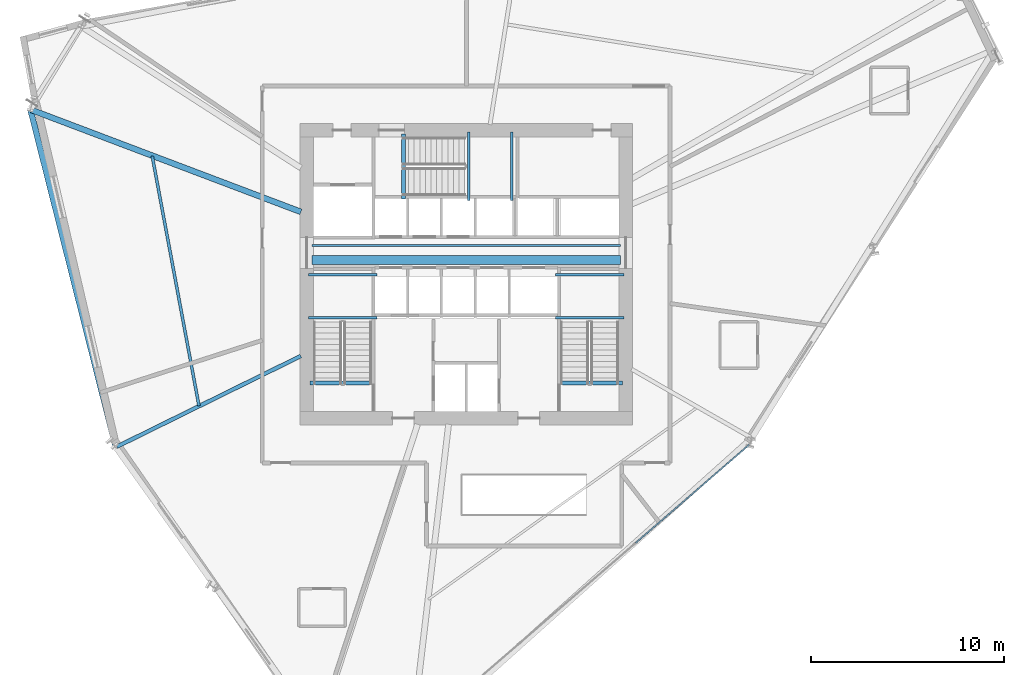
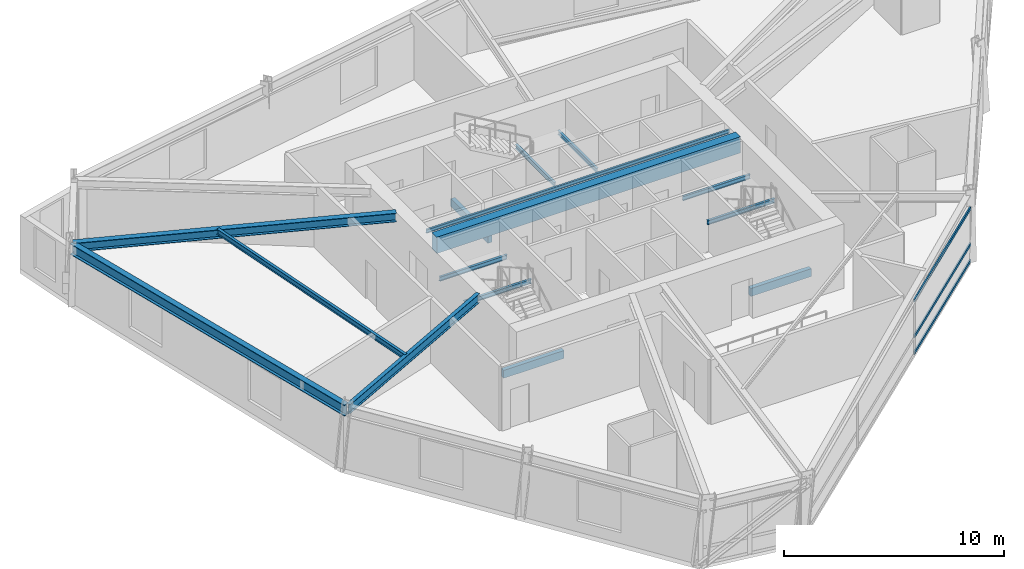
# One storey, part 6 of 16: 15 beams, 3 members, 1 element without a shape of its own.
"""IFC4 building model written with IfcOpenShell, lengths in metres."""

from ifc_helpers import new_model, si_unit, direction, frame, origin, origin_2d, place, context, subcontext, project, spatial, rectangle, hollow_rectangle, i_section, extrude, source, transform, mapped, material, material_profile, profile_set, type_object, element, aggregate, save


model = new_model("IFC4")

# Units and contexts
model_context = context("Model", 3, precision=1e-05, world=origin(), true_north=direction((0.0, 1.0)))
body_context = subcontext(model_context, "Body", "Model", "MODEL_VIEW")
ifc_project = project(units=[si_unit("LENGTHUNIT", "METRE"), si_unit("AREAUNIT", "SQUARE_METRE"), si_unit("VOLUMEUNIT", "CUBIC_METRE"), si_unit("PLANEANGLEUNIT", "RADIAN"), si_unit("MASSUNIT", "GRAM", prefix="KILO")], contexts=[model_context])

# Site, building, storey
site_placement = place(None, origin())
site = spatial("IfcSite", under=ifc_project, at=site_placement, CompositionType="ELEMENT")
building_placement = place(site_placement, origin())
building = spatial("IfcBuilding", under=site, at=building_placement, Name="Olszyna Solenne Hotel", CompositionType="ELEMENT")
storey_placement = place(building_placement, frame((0.0, 0.0, 138.10009765625)))
storey = spatial("IfcBuildingStorey", under=building, at=storey_placement, Name="L36", CompositionType="ELEMENT", Elevation=138.10009765625)

# Beams
ifc_material_1 = material(Name="Steel S355J2", Category="steel")
ifc_material_profile_1 = material_profile(ifc_material_1, i_section(OverallWidth=0.300048828125, OverallDepth=0.60009765625, WebThickness=0.015380859375, FlangeThickness=0.030029296875, at=origin_2d()), Name="HEB 600", Category="load-bearing")
ifc_profile_set_1 = profile_set([ifc_material_profile_1], Name="Steel S355J2")
beam_type_1 = type_object("IfcBeamType", Name="BM-S2", PredefinedType="BEAM", material=ifc_profile_set_1)
shared_shape_1 = source(origin(), body_context, "Body", "SweptSolid", [
    extrude(i_section(OverallWidth=0.300048828125, OverallDepth=0.60009765625, WebThickness=0.015380859375, FlangeThickness=0.030029296875, at=origin_2d()), origin(), (0.0, 0.0, 1.0), 17.90234375),
])
beam_1_placement = place(storey_placement, frame((15.4677734375, 35.0751953125, 3.27978515625), z_axis=(0.244967118321, -0.969531387291, 0.0), x_axis=(0.969531387291, 0.244967118321, 0.0)))
element("IfcBeam", 1, at=beam_1_placement, inside=storey, type_object=beam_type_1, Name="Perimeter spandrel beam BM-S2 B-L36-1074", PredefinedType="BEAM", context=body_context, shape_type="MappedRepresentation", body=[
    mapped(shared_shape_1, transform((0.0, 0.0, 0.0), x_axis=(1.0, 0.0, 0.0), y_axis=(0.0, 1.0, 0.0), z_axis=(0.0, 0.0, 1.0), scale=1.0)),
])
ifc_material_profile_2 = material_profile(ifc_material_1, i_section(OverallWidth=0.300048828125, OverallDepth=0.489990234375, WebThickness=0.011962890625, FlangeThickness=0.02294921875, at=origin_2d()), Name="HEA 500", Category="load-bearing")
ifc_profile_set_2 = profile_set([ifc_material_profile_2], Name="Steel S355J2")
beam_type_2 = type_object("IfcBeamType", Name="BM-G1", PredefinedType="BEAM", material=ifc_profile_set_2)
shared_shape_2 = source(origin(), body_context, "Body", "SweptSolid", [
    extrude(i_section(OverallWidth=0.300048828125, OverallDepth=0.489990234375, WebThickness=0.011962890625, FlangeThickness=0.02294921875, at=origin_2d()), origin(), (0.0, 0.0, 1.0), 14.90234375),
])
beam_2_placement = place(storey_placement, frame((15.50927734375, 35.1123046875, 3.3349609375), z_axis=(0.935252985543, -0.353980017843, 0.0), x_axis=(0.353980017843, 0.935252985543, 0.0)))
element("IfcBeam", 2, at=beam_2_placement, inside=storey, type_object=beam_type_2, Name="Radial floor girder BM-G1 B-L36-1085", PredefinedType="BEAM", context=body_context, shape_type="MappedRepresentation", body=[
    mapped(shared_shape_2, transform((0.0, 0.0, 0.0), x_axis=(1.0, 0.0, 0.0), y_axis=(0.0, 1.0, 0.0), z_axis=(0.0, 0.0, 1.0), scale=1.0)),
])
ifc_material_profile_3 = material_profile(ifc_material_1, i_section(OverallWidth=0.199951171875, OverallDepth=0.5, WebThickness=0.01025390625, FlangeThickness=0.01611328125, at=origin_2d()), Name="IPE 500", Category="load-bearing")
ifc_profile_set_3 = profile_set([ifc_material_profile_3], Name="Steel S355J2")
beam_type_3 = type_object("IfcBeamType", Name="BM-F3", PredefinedType="BEAM", material=ifc_profile_set_3)
shared_shape_3 = source(origin(), body_context, "Body", "SweptSolid", [
    extrude(i_section(OverallWidth=0.199951171875, OverallDepth=0.5, WebThickness=0.01025390625, FlangeThickness=0.01611328125, at=origin_2d()), origin(), (0.0, 0.0, 1.0), 10.61767578125),
])
beam_3_placement = place(storey_placement, frame((19.921875, 17.6865234375, 3.329833984375), z_axis=(0.896905853433, 0.44222153959, 0.0), x_axis=(-0.44222153959, 0.896905853433, 0.0)))
element("IfcBeam", 3, at=beam_3_placement, inside=storey, type_object=beam_type_3, Name="Radial floor girder BM-F3 B-L36-1086", PredefinedType="BEAM", context=body_context, shape_type="MappedRepresentation", body=[
    mapped(shared_shape_3, transform((0.0, 0.0, 0.0), x_axis=(1.0, 0.0, 0.0), y_axis=(0.0, 1.0, 0.0), z_axis=(0.0, 0.0, 1.0), scale=1.0)),
])
ifc_material_profile_4 = material_profile(ifc_material_1, i_section(OverallWidth=0.14990234375, OverallDepth=0.300048828125, WebThickness=0.007080078125, FlangeThickness=0.0107421875, at=origin_2d()), Name="IPE 300", Category="load-bearing")
ifc_profile_set_4 = profile_set([ifc_material_profile_4], Name="Steel S355J2")
beam_type_4 = type_object("IfcBeamType", Name="JS-02", PredefinedType="JOIST", material=ifc_profile_set_4)
shared_shape_4 = source(origin(), body_context, "Body", "SweptSolid", [
    extrude(i_section(OverallWidth=0.14990234375, OverallDepth=0.300048828125, WebThickness=0.007080078125, FlangeThickness=0.0107421875, at=origin_2d()), origin(), (0.0, 0.0, 1.0), 13.150390625),
])
beam_4_placement = place(storey_placement, frame((21.75390625, 32.73046875, 3.429931640625), z_axis=(0.184019506072, -0.982922591756, 0.0), x_axis=(0.982922591756, 0.184019506072, 0.0)))
element("IfcBeam", 4, at=beam_4_placement, inside=storey, type_object=beam_type_4, Name="Secondary composite floor joist JS-02 B-L36-1091", PredefinedType="JOIST", context=body_context, shape_type="MappedRepresentation", body=[
    mapped(shared_shape_4, transform((0.0, 0.0, 0.0), x_axis=(1.0, 0.0, 0.0), y_axis=(0.0, 1.0, 0.0), z_axis=(0.0, 0.0, 1.0), scale=1.0)),
])

# Curtain wall, members
ifc_material_2 = material(Name="Anodised bronze aluminium", Category="aluminium")
curtain_wall_type = type_object("IfcCurtainWallType", Name="CW-SYS-6", PredefinedType="NOTDEFINED", material=ifc_material_2)
curtain_wall_placement = place(storey_placement, origin())
curtain_wall = element("IfcCurtainWall", 5, at=curtain_wall_placement, inside=storey, type_object=curtain_wall_type, Name="Unitised curtain wall CW-SYS-6 CW-L36-01", PredefinedType="NOTDEFINED")
ifc_material_profile_5 = material_profile(ifc_material_2, hollow_rectangle(XDim=0.074951171875, YDim=0.159912109375, WallThickness=0.00390625, at=origin_2d()), Name="TRAN 160x75x4", Category="load-bearing")
ifc_profile_set_5 = profile_set([ifc_material_profile_5], Name="Anodised bronze aluminium")
member_type = type_object("IfcMemberType", Name="CW-T1", PredefinedType="USERDEFINED", material=ifc_profile_set_5)
shared_shape_5 = source(origin(), body_context, "Body", "SweptSolid", [
    extrude(hollow_rectangle(XDim=0.074951171875, YDim=0.159912109375, WallThickness=0.00390625, at=origin_2d()), origin(), (0.0, 0.0, 1.0), 7.77783203125),
])
member_1_placement = place(storey_placement, frame((46.767578125, 12.71533203125, 0.037353515625), z_axis=(0.756664888735, 0.653802910788, 0.0), x_axis=(-0.653802910788, 0.756664888735, 0.0)))
member_1 = element("IfcMember", 6, at=member_1_placement, type_object=member_type, Name="Curtain-wall transom CW-T1 CT-L36-01-07", ObjectType="TRANSOM", PredefinedType="USERDEFINED", context=body_context, shape_type="MappedRepresentation", body=[
    mapped(shared_shape_5, transform((0.0, 0.0, 0.0), x_axis=(1.0, 0.0, 0.0), y_axis=(0.0, 1.0, 0.0), z_axis=(0.0, 0.0, 1.0), scale=1.0)),
])
member_2_placement = place(storey_placement, frame((46.767578125, 12.71533203125, 0.949951171875), z_axis=(0.756664888735, 0.653802910788, 0.0), x_axis=(-0.653802910788, 0.756664888735, 0.0)))
member_2 = element("IfcMember", 7, at=member_2_placement, type_object=member_type, Name="Curtain-wall transom CW-T1 CT-L36-01-08", ObjectType="TRANSOM", PredefinedType="USERDEFINED", context=body_context, shape_type="MappedRepresentation", body=[
    mapped(shared_shape_5, transform((0.0, 0.0, 0.0), x_axis=(1.0, 0.0, 0.0), y_axis=(0.0, 1.0, 0.0), z_axis=(0.0, 0.0, 1.0), scale=1.0)),
])
member_3_placement = place(storey_placement, frame((46.767578125, 12.71533203125, 2.934326171875), z_axis=(0.756664888735, 0.653802910788, 0.0), x_axis=(-0.653802910788, 0.756664888735, 0.0)))
member_3 = element("IfcMember", 8, at=member_3_placement, type_object=member_type, Name="Curtain-wall transom CW-T1 CT-L36-01-09", ObjectType="TRANSOM", PredefinedType="USERDEFINED", context=body_context, shape_type="MappedRepresentation", body=[
    mapped(shared_shape_5, transform((0.0, 0.0, 0.0), x_axis=(1.0, 0.0, 0.0), y_axis=(0.0, 1.0, 0.0), z_axis=(0.0, 0.0, 1.0), scale=1.0)),
])
aggregate(curtain_wall, [member_1, member_2, member_3])

# Beams
ifc_material_3 = material(Name="Concrete C50/60", Category="concrete")
ifc_material_profile_6 = material_profile(ifc_material_3, rectangle(XDim=0.449951171875, YDim=0.89990234375, at=origin_2d()), Name="RC 900x450", Category="load-bearing")
ifc_profile_set_6 = profile_set([ifc_material_profile_6], Name="Concrete C50/60")
beam_type_5 = type_object("IfcBeamType", Name="CB-01", PredefinedType="LINTEL", material=ifc_profile_set_6)
shared_shape_6 = source(origin(), body_context, "Body", "SweptSolid", [
    extrude(rectangle(XDim=0.449951171875, YDim=0.89990234375, at=origin_2d()), origin(), (0.0, 0.0, 1.0), 15.9599609375),
])
beam_5_placement = place(storey_placement, frame((30.02001953125, 27.35009765625, 3.1298828125), z_axis=(1.0, 0.0, 0.0), x_axis=(0.0, 1.0, 0.0)))
element("IfcBeam", 9, at=beam_5_placement, inside=storey, type_object=beam_type_5, Name="Core coupling lintel beam CB-01 L36", PredefinedType="LINTEL", context=body_context, shape_type="MappedRepresentation", body=[
    mapped(shared_shape_6, transform((0.0, 0.0, 0.0), x_axis=(1.0, 0.0, 0.0), y_axis=(0.0, 1.0, 0.0), z_axis=(0.0, 0.0, 1.0), scale=1.0)),
])
ifc_material_profile_7 = material_profile(ifc_material_1, i_section(OverallWidth=0.10009765625, OverallDepth=0.199951171875, WebThickness=0.005615234375, FlangeThickness=0.008544921875, at=origin_2d()), Name="IPE 200", Category="load-bearing")
ifc_profile_set_7 = profile_set([ifc_material_profile_7], Name="Steel S355J2")
beam_type_6 = type_object("IfcBeamType", Name="LN-01", PredefinedType="LINTEL", material=ifc_profile_set_7)
shared_shape_7 = source(origin(), body_context, "Body", "SweptSolid", [
    extrude(i_section(OverallWidth=0.10009765625, OverallDepth=0.199951171875, WebThickness=0.005615234375, FlangeThickness=0.008544921875, at=origin_2d()), origin(), (0.0, 0.0, 1.0), 15.9599609375),
])
beam_6_placement = place(storey_placement, frame((30.02001953125, 28.10009765625, 3.329833984375), z_axis=(1.0, 0.0, 0.0), x_axis=(0.0, 1.0, 0.0)))
element("IfcBeam", 10, at=beam_6_placement, inside=storey, type_object=beam_type_6, Name="Opening steel lintel LN-01 L36", PredefinedType="LINTEL", context=body_context, shape_type="MappedRepresentation", body=[
    mapped(shared_shape_7, transform((0.0, 0.0, 0.0), x_axis=(1.0, 0.0, 0.0), y_axis=(0.0, 1.0, 0.0), z_axis=(0.0, 0.0, 1.0), scale=1.0)),
])
ifc_material_profile_8 = material_profile(ifc_material_1, i_section(OverallWidth=0.1201171875, OverallDepth=0.239990234375, WebThickness=0.006103515625, FlangeThickness=0.009765625, at=origin_2d()), Name="IPE 240", Category="load-bearing")
ifc_profile_set_8 = profile_set([ifc_material_profile_8], Name="Steel S355J2")
beam_type_7 = type_object("IfcBeamType", Name="JS-03", PredefinedType="JOIST", material=ifc_profile_set_8)
shared_shape_8 = source(origin(), body_context, "Body", "SweptSolid", [
    extrude(i_section(OverallWidth=0.1201171875, OverallDepth=0.239990234375, WebThickness=0.006103515625, FlangeThickness=0.009765625, at=origin_2d()), origin(), (0.0, 0.0, 1.0), 3.539794921875),
])
for number, where, z_axis, x_axis, name in (
    (11, (33.3798828125, 24.360107421875, 1.6748046875), (-1.0, 0.0, 0.0), (0.0, -1.0, 0.0), "Stair landing support beam JS-03 SLB-ST1-0077"),
    (12, (33.3798828125, 26.580078125, 1.6748046875), (-1.0, 0.0, 0.0), (0.0, -1.0, 0.0), "Stair landing support beam JS-03 SLB-ST1-0078"),
    (13, (46.159912109375, 24.360107421875, 1.6748046875), (-1.0, 0.0, 0.0), (0.0, -1.0, 0.0), "Stair landing support beam JS-03 SLB-ST2-0317"),
    (14, (46.159912109375, 26.580078125, 1.6748046875), (-1.0, 0.0, 0.0), (0.0, -1.0, 0.0), "Stair landing support beam JS-03 SLB-ST2-0318"),
):
    element("IfcBeam", number, at=place(storey_placement, frame(where, z_axis=z_axis, x_axis=x_axis)), inside=storey, type_object=beam_type_7, Name=name, PredefinedType="JOIST", context=body_context, shape_type="MappedRepresentation", body=[
        mapped(shared_shape_8, transform((0.0, 0.0, 0.0), x_axis=(1.0, 0.0, 0.0), y_axis=(0.0, 1.0, 0.0), z_axis=(0.0, 0.0, 1.0), scale=1.0)),
    ])
ifc_material_profile_9 = material_profile(ifc_material_3, rectangle(XDim=0.219970703125, YDim=0.43994140625, at=origin_2d()), Name="RC 220x440", Category="load-bearing")
ifc_profile_set_9 = profile_set([ifc_material_profile_9], Name="Concrete C50/60")
beam_type_8 = type_object("IfcBeamType", Name="BM-ST1", PredefinedType="BEAM", material=ifc_profile_set_9)
shared_shape_9 = source(origin(), body_context, "Body", "SweptSolid", [
    extrude(rectangle(XDim=0.219970703125, YDim=0.43994140625, at=origin_2d()), origin(), (0.0, 0.0, 1.0), 3.18017578125),
])
for number, where, z_axis, x_axis, name in (
    (15, (33.10009765625, 20.97998046875, -0.205078125), (-1.0, 0.0, 0.0), (0.0, -1.0, 0.0), "Concrete stair trimmer beam BM-ST1 SHB-ST1-0198"),
    (16, (46.080078125, 20.97998046875, -0.205078125), (-1.0, 0.0, 0.0), (0.0, -1.0, 0.0), "Concrete stair trimmer beam BM-ST1 SHB-ST2-0438"),
):
    element("IfcBeam", number, at=place(storey_placement, frame(where, z_axis=z_axis, x_axis=x_axis)), inside=storey, type_object=beam_type_8, Name=name, PredefinedType="BEAM", context=body_context, shape_type="MappedRepresentation", body=[
        mapped(shared_shape_9, transform((0.0, 0.0, 0.0), x_axis=(1.0, 0.0, 0.0), y_axis=(0.0, 1.0, 0.0), z_axis=(0.0, 0.0, 1.0), scale=1.0)),
    ])
shared_shape_10 = source(origin(), body_context, "Body", "SweptSolid", [
    extrude(i_section(OverallWidth=0.1201171875, OverallDepth=0.239990234375, WebThickness=0.006103515625, FlangeThickness=0.009765625, at=origin_2d()), origin(), (0.0, 0.0, 1.0), 3.5400390625),
])
for number, where, z_axis, x_axis, name in (
    (17, (38.139892578125, 30.419921875, 1.6748046875), (0.0, 1.0, 0.0), (-1.0, 0.0, 0.0), "Stair landing support beam JS-03 SLB-ST3-0557"),
    (18, (40.360107421875, 30.419921875, 1.6748046875), (0.0, 1.0, 0.0), (-1.0, 0.0, 0.0), "Stair landing support beam JS-03 SLB-ST3-0558"),
):
    element("IfcBeam", number, at=place(storey_placement, frame(where, z_axis=z_axis, x_axis=x_axis)), inside=storey, type_object=beam_type_7, Name=name, PredefinedType="JOIST", context=body_context, shape_type="MappedRepresentation", body=[
        mapped(shared_shape_10, transform((0.0, 0.0, 0.0), x_axis=(1.0, 0.0, 0.0), y_axis=(0.0, 1.0, 0.0), z_axis=(0.0, 0.0, 1.0), scale=1.0)),
    ])
shared_shape_11 = source(origin(), body_context, "Body", "SweptSolid", [
    extrude(rectangle(XDim=0.219970703125, YDim=0.43994140625, at=origin_2d()), origin(), (0.0, 0.0, 1.0), 3.3798828125),
])
beam_7_placement = place(storey_placement, frame((34.760009765625, 30.5, -0.205078125), z_axis=(0.0, 1.0, 0.0), x_axis=(-1.0, 0.0, 0.0)))
element("IfcBeam", 19, at=beam_7_placement, inside=storey, type_object=beam_type_8, Name="Concrete stair trimmer beam BM-ST1 SHB-ST3-0676", PredefinedType="BEAM", context=body_context, shape_type="MappedRepresentation", body=[
    mapped(shared_shape_11, transform((0.0, 0.0, 0.0), x_axis=(1.0, 0.0, 0.0), y_axis=(0.0, 1.0, 0.0), z_axis=(0.0, 0.0, 1.0), scale=1.0)),
])

save(model, "model.ifc")
